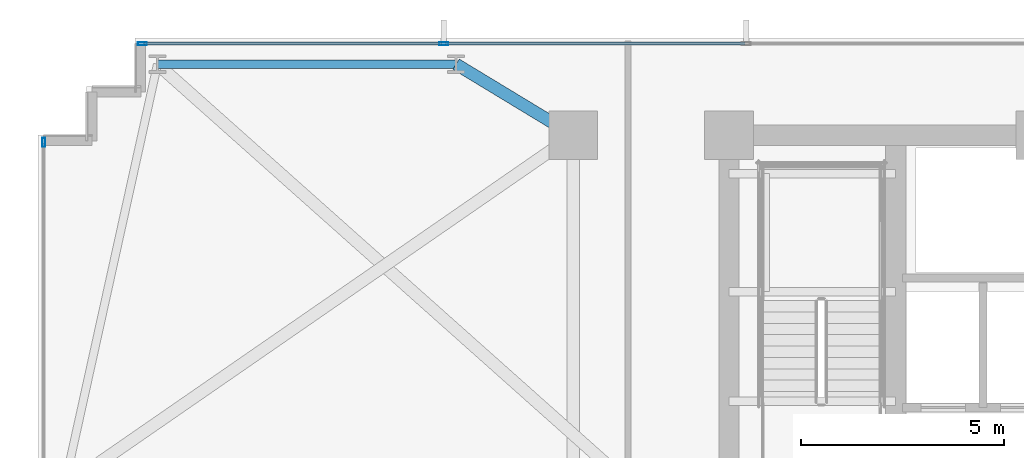
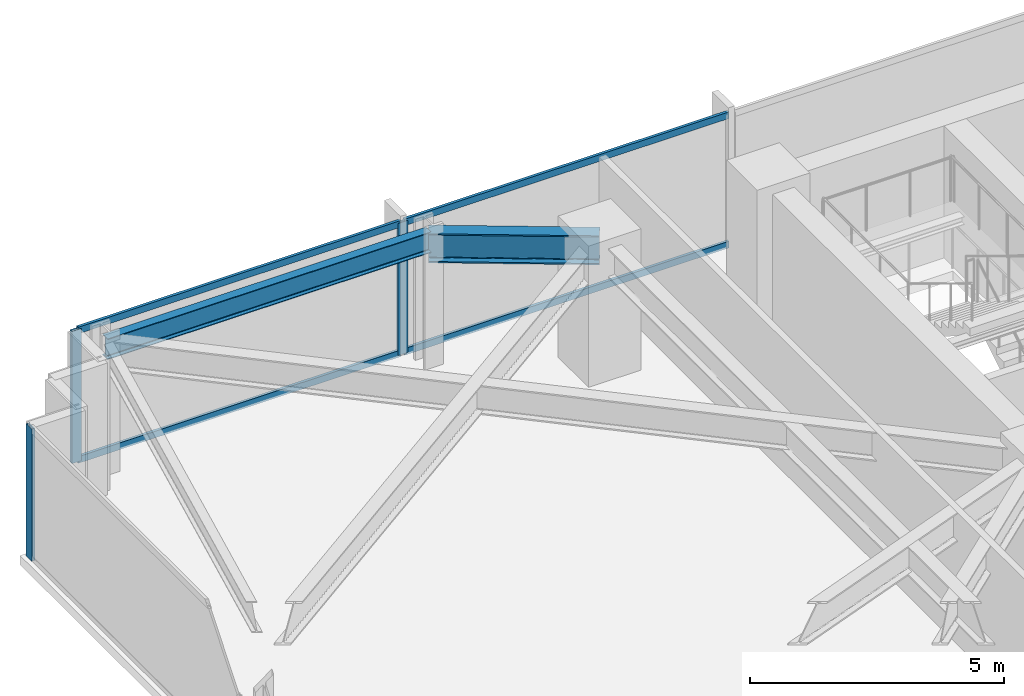
# One storey, part 17 of 33: 7 members, 2 beams, 2 elements without a shape of their own.
"""IFC4 building model written with IfcOpenShell, lengths in metres."""

from ifc_helpers import new_model, si_unit, direction, frame, origin, origin_2d, place, context, subcontext, project, spatial, hollow_rectangle, i_section, extrude, material, material_profile, profile_set, type_object, element, aggregate, save


model = new_model("IFC4")

# Units and contexts
model_context = context("Model", 3, precision=1e-05, world=origin(), true_north=direction((0.0, 1.0)))
body_context = subcontext(model_context, "Body", "Model", "MODEL_VIEW")
ifc_project = project(units=[si_unit("LENGTHUNIT", "METRE"), si_unit("AREAUNIT", "SQUARE_METRE"), si_unit("VOLUMEUNIT", "CUBIC_METRE"), si_unit("PLANEANGLEUNIT", "RADIAN"), si_unit("MASSUNIT", "GRAM", prefix="KILO")], contexts=[model_context])

# Site, building, storey
site_placement = place(None, origin())
site = spatial("IfcSite", under=ifc_project, at=site_placement, CompositionType="ELEMENT")
building_placement = place(site_placement, origin())
building = spatial("IfcBuilding", under=site, at=building_placement, Name="Yelkora Congress Tower", CompositionType="ELEMENT")
storey_placement = place(building_placement, frame((0.0, 0.0, 64.39990234375)))
storey = spatial("IfcBuildingStorey", under=building, at=storey_placement, Name="L16", CompositionType="ELEMENT", Elevation=64.39990234375)

# Beams
ifc_material_1 = material(Name="Steel S355J2", Category="steel")
ifc_material_profile_1 = material_profile(ifc_material_1, i_section(OverallWidth=0.300048828125, OverallDepth=0.699951171875, WebThickness=0.01708984375, FlangeThickness=0.031982421875, FilletRadius=0.027099609375, at=origin_2d()), Name="HEB 700")
ifc_profile_set_1 = profile_set([ifc_material_profile_1], Name="Steel S355J2")
beam_type_1 = type_object("IfcBeamType", Name="BM-GIRD-HEB700", PredefinedType="BEAM", material=ifc_profile_set_1)
beam_1_placement = place(storey_placement, frame((16.3125, 47.949951171875, 2.830078125), z_axis=(0.855193946581, -0.518308126244, 0.0), x_axis=(0.518308126244, 0.855193946581, 0.0)))
element("IfcBeam", 1, at=beam_1_placement, inside=storey, type_object=beam_type_1, Name="L16 Primary Frame Girder N02", PredefinedType="BEAM", context=body_context, shape_type="SweptSolid", body=[
    extrude(i_section(OverallWidth=0.300048828125, OverallDepth=0.699951171875, WebThickness=0.01708984375, FlangeThickness=0.031982421875, FilletRadius=0.027099609375, at=origin_2d()), origin(), (0.0, 0.0, 1.0), 3.37646484375),
])
ifc_material_profile_2 = material_profile(ifc_material_1, i_section(OverallWidth=0.199951171875, OverallDepth=0.5, WebThickness=0.01025390625, FlangeThickness=0.01611328125, FilletRadius=0.02099609375, at=origin_2d()), Name="IPE 500")
ifc_profile_set_2 = profile_set([ifc_material_profile_2], Name="Steel S355J2")
beam_type_2 = type_object("IfcBeamType", Name="BM-SPAN-IPE500", PredefinedType="SPANDREL", material=ifc_profile_set_2)
beam_2_placement = place(storey_placement, frame((16.3125, 47.949951171875, 2.93017578125), z_axis=(-1.0, 0.0, 0.0), x_axis=(0.0, -1.0, 0.0)))
element("IfcBeam", 2, at=beam_2_placement, inside=storey, type_object=beam_type_2, Name="L16 Perimeter Beam 16", PredefinedType="SPANDREL", context=body_context, shape_type="SweptSolid", body=[
    extrude(i_section(OverallWidth=0.199951171875, OverallDepth=0.5, WebThickness=0.01025390625, FlangeThickness=0.01611328125, FilletRadius=0.02099609375, at=origin_2d()), origin(), (0.0, 0.0, 1.0), 7.362548828125),
])

# Curtain wall, member
ifc_material_2 = material(Name="Anodised aluminium and insulated glass", Category="aluminium")
curtain_wall_type = type_object("IfcCurtainWallType", Name="CW-SYS-B1", PredefinedType="NOTDEFINED", material=ifc_material_2)
curtain_wall_1_placement = place(storey_placement, origin())
curtain_wall_1 = element("IfcCurtainWall", 3, at=curtain_wall_1_placement, inside=storey, type_object=curtain_wall_type, Name="L16 Unitised Curtain Wall 5", PredefinedType="NOTDEFINED")
ifc_material_3 = material(Name="Anodised aluminium 6063-T6", Category="aluminium")
ifc_material_profile_3 = material_profile(ifc_material_3, hollow_rectangle(XDim=0.074951171875, YDim=0.219970703125, WallThickness=0.0048828125, at=origin_2d()), Name="ALU 75x220x5")
ifc_profile_set_3 = profile_set([ifc_material_profile_3], Name="Anodised aluminium 6063-T6")
member_type_1 = type_object("IfcMemberType", Name="MEM-ML-B1", PredefinedType="MULLION", material=ifc_profile_set_3)
member_1_placement = place(storey_placement, frame((6.139892578125, 46.0224609375, 0.0), z_axis=(0.0, 0.0, 1.0), x_axis=(-1.0, 0.0, 0.0)))
member_1 = element("IfcMember", 4, at=member_1_placement, type_object=member_type_1, Name="CW-B1 mullion 5", PredefinedType="MULLION", context=body_context, shape_type="SweptSolid", body=[
    extrude(hollow_rectangle(XDim=0.074951171875, YDim=0.219970703125, WallThickness=0.0048828125, at=origin_2d()), origin(), (0.0, 0.0, 1.0), 3.18017578125),
])
aggregate(curtain_wall_1, [member_1])

# Curtain wall, members
curtain_wall_2_placement = place(storey_placement, origin())
curtain_wall_2 = element("IfcCurtainWall", 5, at=curtain_wall_2_placement, inside=storey, type_object=curtain_wall_type, Name="L16 Unitised Curtain Wall 10", PredefinedType="NOTDEFINED")
member_2_placement = place(storey_placement, frame((8.577392578125, 48.4599609375, 0.0), z_axis=(0.0, 0.0, 1.0), x_axis=(0.0, 1.0, 0.0)))
member_2 = element("IfcMember", 6, at=member_2_placement, type_object=member_type_1, Name="CW-B1 mullion 1", PredefinedType="MULLION", context=body_context, shape_type="SweptSolid", body=[
    extrude(hollow_rectangle(XDim=0.074951171875, YDim=0.219970703125, WallThickness=0.0048828125, at=origin_2d()), origin(), (0.0, 0.0, 1.0), 3.18017578125),
])
member_3_placement = place(storey_placement, frame((16.0048828125, 48.4599609375, 0.0), z_axis=(0.0, 0.0, 1.0), x_axis=(0.0, 1.0, 0.0)))
member_3 = element("IfcMember", 7, at=member_3_placement, type_object=member_type_1, Name="CW-B1 mullion 2", PredefinedType="MULLION", context=body_context, shape_type="SweptSolid", body=[
    extrude(hollow_rectangle(XDim=0.074951171875, YDim=0.219970703125, WallThickness=0.0048828125, at=origin_2d()), origin(), (0.0, 0.0, 1.0), 3.18017578125),
])
ifc_material_profile_4 = material_profile(ifc_material_3, hollow_rectangle(XDim=0.06494140625, YDim=0.159912109375, WallThickness=0.00390625, at=origin_2d()), Name="ALU 65x160x4")
ifc_profile_set_4 = profile_set([ifc_material_profile_4], Name="Anodised aluminium 6063-T6")
member_type_2 = type_object("IfcMemberType", Name="MEM-TR-B1", PredefinedType="USERDEFINED", material=ifc_profile_set_4)
member_4_placement = place(storey_placement, frame((8.614990234375, 48.4599609375, 0.03271484375), z_axis=(1.0, 0.0, 0.0), x_axis=(0.0, 1.0, 0.0)))
member_4 = element("IfcMember", 8, at=member_4_placement, type_object=member_type_2, Name="CW-B1 transom 1.1", ObjectType="TRANSOM", PredefinedType="USERDEFINED", context=body_context, shape_type="SweptSolid", body=[
    extrude(hollow_rectangle(XDim=0.06494140625, YDim=0.159912109375, WallThickness=0.00390625, at=origin_2d()), origin(), (0.0, 0.0, 1.0), 7.3525390625),
])
member_5_placement = place(storey_placement, frame((8.614990234375, 48.4599609375, 3.147705078125), z_axis=(1.0, 0.0, 0.0), x_axis=(0.0, 1.0, 0.0)))
member_5 = element("IfcMember", 9, at=member_5_placement, type_object=member_type_2, Name="CW-B1 transom 1.2", ObjectType="TRANSOM", PredefinedType="USERDEFINED", context=body_context, shape_type="SweptSolid", body=[
    extrude(hollow_rectangle(XDim=0.06494140625, YDim=0.159912109375, WallThickness=0.00390625, at=origin_2d()), origin(), (0.0, 0.0, 1.0), 7.3525390625),
])
member_6_placement = place(storey_placement, frame((16.04248046875, 48.4599609375, 0.03271484375), z_axis=(1.0, 0.0, 0.0), x_axis=(0.0, 1.0, 0.0)))
member_6 = element("IfcMember", 10, at=member_6_placement, type_object=member_type_2, Name="CW-B1 transom 2.1", ObjectType="TRANSOM", PredefinedType="USERDEFINED", context=body_context, shape_type="SweptSolid", body=[
    extrude(hollow_rectangle(XDim=0.06494140625, YDim=0.159912109375, WallThickness=0.00390625, at=origin_2d()), origin(), (0.0, 0.0, 1.0), 7.39013671875),
])
member_7_placement = place(storey_placement, frame((16.04248046875, 48.4599609375, 3.147705078125), z_axis=(1.0, 0.0, 0.0), x_axis=(0.0, 1.0, 0.0)))
member_7 = element("IfcMember", 11, at=member_7_placement, type_object=member_type_2, Name="CW-B1 transom 2.2", ObjectType="TRANSOM", PredefinedType="USERDEFINED", context=body_context, shape_type="SweptSolid", body=[
    extrude(hollow_rectangle(XDim=0.06494140625, YDim=0.159912109375, WallThickness=0.00390625, at=origin_2d()), origin(), (0.0, 0.0, 1.0), 7.39013671875),
])
aggregate(curtain_wall_2, [member_2, member_3, member_4, member_5, member_6, member_7])

save(model, "model.ifc")
